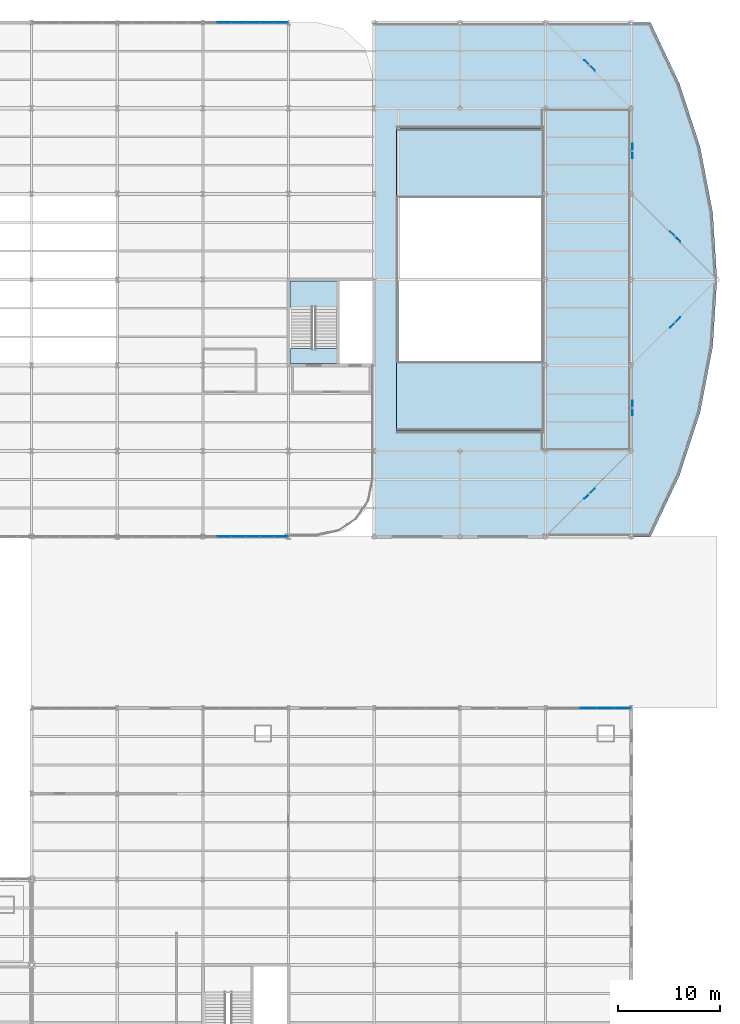
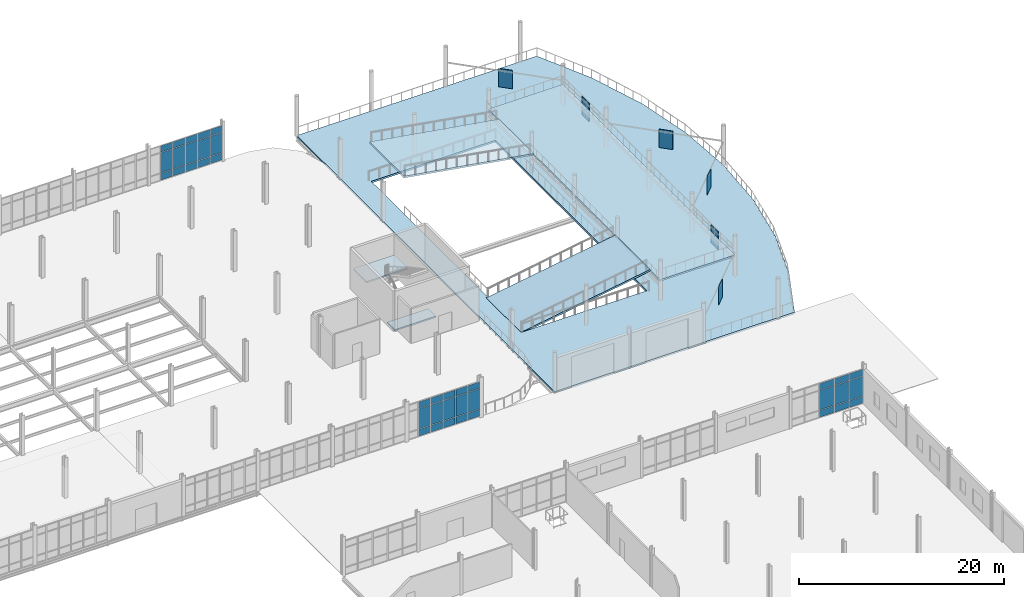
# One storey, part 121 of 145: 45 plates, 6 slabs, 4 elements without a shape of their own.
"""IFC4 building model written with IfcOpenShell, lengths in metres."""

import ifcopenshell
import ifcopenshell.guid

model = None  # the IFC model being written
_history = None  # IfcOwnerHistory: only IFC2X3 demands one
_inside = {}  # id of a spatial element -> (the spatial element, [elements in it])
_under = {}  # id of a project, library or spatial element -> (it, [spatial elements below it])
_declared = {}  # id of a project -> (the project, [libraries it declares])
_typed = {}  # id of a type object -> (the type object, [elements of that type])
_made_of = {}  # id of a material, layer set ... -> (it, [elements and type objects made of it])


def new_model(schema):
    """Start an empty IFC model of exactly this schema.

    Asked for "IFC4X3", IfcOpenShell would pick the latest addendum, in which some entities
    have other attributes; the version numbers below select the first issue.
    IFC2X3 requires an IfcOwnerHistory on every rooted entity: one is made here for all.
    """
    global model, _history
    if schema == "IFC4X3":
        model = ifcopenshell.file(schema_version=(4, 3, 0, 0))
    else:
        model = ifcopenshell.file(schema=schema)
    _inside.clear()
    _under.clear()
    _declared.clear()
    _typed.clear()
    _made_of.clear()
    _history = None
    if model.schema == "IFC2X3":
        org = make("IfcOrganization", Name="unknown")
        user = make(
            "IfcPersonAndOrganization",
            ThePerson=make("IfcPerson", FamilyName="unknown"),
            TheOrganization=org,
        )
        app = make(
            "IfcApplication",
            ApplicationDeveloper=org,
            Version="unknown",
            ApplicationFullName="unknown",
            ApplicationIdentifier="unknown",
        )
        _history = make(
            "IfcOwnerHistory",
            OwningUser=user,
            OwningApplication=app,
            ChangeAction="ADDED",
            CreationDate=0,
        )
    return model


def make(cls, **values):
    """One entity of the class cls with the attributes given. An attribute that is None is left unset."""
    return model.create_entity(
        cls, **{name: value for name, value in values.items() if value is not None}
    )


def rooted(cls, **values):
    """An entity with a GlobalId (a new one), such as an element, a storey or a relation."""
    return make(cls, GlobalId=ifcopenshell.guid.new(), OwnerHistory=_history, **values)


def si_unit(unit_type, name, prefix=None):
    """IfcSIUnit, for example si_unit("LENGTHUNIT", "METRE", prefix="MILLI")."""
    return make("IfcSIUnit", UnitType=unit_type, Prefix=prefix, Name=name)


def assignment(units):
    """IfcUnitAssignment: the units of a project."""
    return None if units is None else make("IfcUnitAssignment", Units=units)


def point(xyz):
    """IfcCartesianPoint."""
    return None if xyz is None else make("IfcCartesianPoint", Coordinates=xyz)


def direction(xyz):
    """IfcDirection."""
    return None if xyz is None else make("IfcDirection", DirectionRatios=xyz)


def frame(location, z_axis=None, x_axis=None):
    """IfcAxis2Placement3D, a coordinate frame: its origin and axes. An axis left out is left unset."""
    return make(
        "IfcAxis2Placement3D",
        Location=point(location),
        Axis=direction(z_axis),
        RefDirection=direction(x_axis),
    )


def frame_2d(location, x_axis=None):
    """IfcAxis2Placement2D, a coordinate frame in the plane: its origin and x axis."""
    return make(
        "IfcAxis2Placement2D", Location=point(location), RefDirection=direction(x_axis)
    )


def origin():
    """The frame at (0, 0, 0) with its axes left unset."""
    return frame((0.0, 0.0, 0.0))


def origin_2d():
    """The frame at (0, 0) in the plane with its x axis left unset."""
    return frame_2d((0.0, 0.0))


def place(relative_to, where):
    """IfcLocalPlacement: puts the frame where relative to a parent placement (None: the world)."""
    return make(
        "IfcLocalPlacement", PlacementRelTo=relative_to, RelativePlacement=where
    )


def context(
    kind, dimensions, precision=None, world=None, true_north=None, identifier=None
):
    """IfcGeometricRepresentationContext, for example the 3D "Model" context."""
    return make(
        "IfcGeometricRepresentationContext",
        ContextIdentifier=identifier,
        ContextType=kind,
        CoordinateSpaceDimension=dimensions,
        Precision=precision,
        WorldCoordinateSystem=world,
        TrueNorth=true_north,
    )


def subcontext(parent, identifier, kind, view, scale=None):
    """IfcGeometricRepresentationSubContext, for example "Body" below "Model"."""
    return make(
        "IfcGeometricRepresentationSubContext",
        ContextIdentifier=identifier,
        ContextType=kind,
        ParentContext=parent,
        TargetScale=scale,
        TargetView=view,
    )


def project(units=None, contexts=None):
    """IfcProject with its units and contexts."""
    return rooted(
        "IfcProject",
        Name="project",
        RepresentationContexts=contexts,
        UnitsInContext=assignment(units),
    )


def spatial(cls, under=None, at=None, **own):
    """A site, building, storey or space (cls), placed at a placement, below another one or the project."""
    s = rooted(cls, ObjectPlacement=at, **own)
    if under is not None:
        _under.setdefault(under.id(), (under, []))[1].append(s)
    return s


def polyline(points):
    """IfcPolyline through the points."""
    return make("IfcPolyline", Points=[point(p) for p in points])


def profile(cls, at=None, kind="AREA", **sizes):
    """A parametric profile (cls). Its sizes go by their IFC names, for example OverallWidth=200.0."""
    return make(cls, ProfileType=kind, Position=at, **sizes)


def rectangle(**sizes):
    """IfcRectangleProfileDef."""
    return profile("IfcRectangleProfileDef", **sizes)


def outline(outer, holes=None, kind="AREA"):
    """IfcArbitraryClosedProfileDef: a profile drawn as a closed curve; with holes, ...WithVoids."""
    if holes is None:
        return make("IfcArbitraryClosedProfileDef", ProfileType=kind, OuterCurve=outer)
    return make(
        "IfcArbitraryProfileDefWithVoids",
        ProfileType=kind,
        OuterCurve=outer,
        InnerCurves=holes,
    )


def extrude(swept, where, along, depth):
    """IfcExtrudedAreaSolid: the profile swept, set in the frame where, extruded along a direction by depth."""
    return make(
        "IfcExtrudedAreaSolid",
        SweptArea=swept,
        Position=where,
        ExtrudedDirection=direction(along),
        Depth=depth,
    )


def shape(context_of_items, identifier, shape_type, items):
    """IfcShapeRepresentation: the items that make up one representation, for example the "Body"."""
    return make(
        "IfcShapeRepresentation",
        ContextOfItems=context_of_items,
        RepresentationIdentifier=identifier,
        RepresentationType=shape_type,
        Items=items,
    )


def material(Name=None, Category=None):
    """IfcMaterial."""
    return make("IfcMaterial", Name=Name, Category=Category)


def layer(
    of_material, thickness, ventilated=None, Name=None, Category=None, Priority=None
):
    """IfcMaterialLayer: one layer of a wall or slab, of a material (None: an air gap)."""
    return make(
        "IfcMaterialLayer",
        Material=of_material,
        LayerThickness=thickness,
        IsVentilated=ventilated,
        Name=Name,
        Category=Category,
        Priority=Priority,
    )


def layer_set(layers, Name=None):
    """IfcMaterialLayerSet."""
    return make("IfcMaterialLayerSet", MaterialLayers=layers, LayerSetName=Name)


def made_of(thing, what):
    """Note that an element or type object is made of a material, layer set ...; save() writes the relation."""
    if what is not None:
        _made_of.setdefault(what.id(), (what, []))[1].append(thing)
    return thing


def type_object(cls, material=None, **own):
    """A type object (cls), such as IfcWallType, which elements share."""
    return made_of(rooted(cls, **own), material)


def element(
    cls,
    number,
    at=None,
    inside=None,
    cuts=None,
    type_object=None,
    material=None,
    context=None,
    identifier="Body",
    shape_type=None,
    held_by="IfcProductDefinitionShape",
    body=None,
    shapes=None,
    **own,
):
    """One element of the class cls, such as IfcWall. Its Tag is "e" and its number.

    at: its placement. inside: the storey or other place that contains it. cuts: it is an
    opening in that element (IfcRelVoidsElement). A single representation is given by context,
    identifier, shape_type and body (its items); several are given by shapes. held_by: the class
    of the entity that holds the representations. save() writes the other relations.
    """
    e = rooted(cls, Tag="e%d" % number, ObjectPlacement=at, **own)
    if body is not None:
        shapes = [shape(context, identifier, shape_type, body)]
    if shapes is not None:
        e.Representation = make(held_by, Representations=shapes)
    if inside is not None:
        _inside.setdefault(inside.id(), (inside, []))[1].append(e)
    if cuts is not None:
        rooted(
            "IfcRelVoidsElement", RelatingBuildingElement=cuts, RelatedOpeningElement=e
        )
    if type_object is not None:
        _typed.setdefault(type_object.id(), (type_object, []))[1].append(e)
    return made_of(e, material)


def aggregate(whole, parts):
    """IfcRelAggregates: a whole, such as a stair, and the parts it consists of."""
    return rooted("IfcRelAggregates", RelatingObject=whole, RelatedObjects=parts)


def save(model, path):
    """Write the relations noted so far, then the file.

    IfcRelAggregates (storeys below a building ...), IfcRelContainedInSpatialStructure (elements
    in a storey), IfcRelDefinesByType, IfcRelAssociatesMaterial and IfcRelDeclares: one each for
    every whole, place, type object, material and project.
    """
    for whole, parts in _under.values():
        aggregate(whole, parts)
    for where, things in _inside.values():
        rooted(
            "IfcRelContainedInSpatialStructure",
            RelatedElements=things,
            RelatingStructure=where,
        )
    for kind, things in _typed.values():
        rooted("IfcRelDefinesByType", RelatedObjects=things, RelatingType=kind)
    for what, things in _made_of.values():
        rooted("IfcRelAssociatesMaterial", RelatedObjects=things, RelatingMaterial=what)
    for by, libraries in _declared.values():
        rooted("IfcRelDeclares", RelatingContext=by, RelatedDefinitions=libraries)
    model.write(path)


model = new_model("IFC4")

# Units and contexts
model_context = context("Model", 3, precision=1e-05, world=origin(), true_north=direction((0.0, 1.0)))
body_context = subcontext(model_context, "Body", "Model", "MODEL_VIEW")
ifc_project = project(units=[si_unit("LENGTHUNIT", "METRE"), si_unit("AREAUNIT", "SQUARE_METRE"), si_unit("VOLUMEUNIT", "CUBIC_METRE"), si_unit("PLANEANGLEUNIT", "RADIAN"), si_unit("MASSUNIT", "GRAM", prefix="KILO")], contexts=[model_context])

# Site, building, storey
site_placement = place(None, origin())
site = spatial("IfcSite", under=ifc_project, at=site_placement, CompositionType="ELEMENT")
building_placement = place(site_placement, origin())
building = spatial("IfcBuilding", under=site, at=building_placement, Name="Qalvenar Corner Mobility Hub", CompositionType="ELEMENT")
storey_placement = place(building_placement, origin())
storey = spatial("IfcBuildingStorey", under=building, at=storey_placement, Name="L00", CompositionType="ELEMENT", Elevation=0.0)

# Curtain wall, plates
ifc_material_1 = material(Name="Anodised Aluminium and Low-E Glazing", Category="aluminium")
ifc_layer_1 = layer(ifc_material_1, 0.14990234375)
ifc_layer_set_1 = layer_set([ifc_layer_1], Name="Anodised Aluminium and Low-E Glazing")
curtain_wall_type_1 = type_object("IfcCurtainWallType", Name="CW-MOB-84X46", PredefinedType="NOTDEFINED", material=ifc_layer_set_1)
curtain_wall_1_placement = place(storey_placement, origin())
curtain_wall_1 = element("IfcCurtainWall", 1, at=curtain_wall_1_placement, inside=storey, type_object=curtain_wall_type_1, Name="Glazed Curtain Wall CW-V4-L00-S8", PredefinedType="NOTDEFINED")
ifc_material_2 = material(Name="Solar-Control Low-E Double Glazing", Category="glass")
ifc_layer_2 = layer(ifc_material_2, 0.028076171875)
ifc_layer_set_2 = layer_set([ifc_layer_2], Name="Solar-Control Low-E Double Glazing")
plate_type_1 = type_object("IfcPlateType", Name="PLT-CWP-GLZ1", PredefinedType="CURTAIN_PANEL", material=ifc_layer_set_2)
plate_1_placement = place(storey_placement, frame((128.10009765625, 67.199951171875, 0.05517578125), z_axis=(0.0, 0.0, 1.0), x_axis=(1.0, 0.0, 0.0)))
plate_1 = element("IfcPlate", 2, at=plate_1_placement, type_object=plate_type_1, Name="CW-03 panel 2.1", PredefinedType="CURTAIN_PANEL", context=body_context, shape_type="SweptSolid", body=[
    extrude(rectangle(XDim=1.340087890625, YDim=0.028076171875, at=origin_2d()), origin(), (0.0, 0.0, 1.0), 0.8173828125),
])
plate_2_placement = place(storey_placement, frame((128.10009765625, 67.199951171875, 0.927490234375), z_axis=(0.0, 0.0, 1.0), x_axis=(1.0, 0.0, 0.0)))
plate_2 = element("IfcPlate", 3, at=plate_2_placement, type_object=plate_type_1, Name="CW-03 panel 2.2", PredefinedType="CURTAIN_PANEL", context=body_context, shape_type="SweptSolid", body=[
    extrude(rectangle(XDim=1.340087890625, YDim=0.028076171875, at=origin_2d()), origin(), (0.0, 0.0, 1.0), 2.39501953125),
])
plate_3_placement = place(storey_placement, frame((128.10009765625, 67.199951171875, 3.37744140625), z_axis=(0.0, 0.0, 1.0), x_axis=(1.0, 0.0, 0.0)))
plate_3 = element("IfcPlate", 4, at=plate_3_placement, type_object=plate_type_1, Name="CW-03 panel 2.3", PredefinedType="CURTAIN_PANEL", context=body_context, shape_type="SweptSolid", body=[
    extrude(rectangle(XDim=1.340087890625, YDim=0.028076171875, at=origin_2d()), origin(), (0.0, 0.0, 1.0), 0.767578125),
])
plate_4_placement = place(storey_placement, frame((129.5, 67.199951171875, 0.05517578125), z_axis=(0.0, 0.0, 1.0), x_axis=(1.0, 0.0, 0.0)))
plate_4 = element("IfcPlate", 5, at=plate_4_placement, type_object=plate_type_1, Name="CW-03 panel 3.1", PredefinedType="CURTAIN_PANEL", context=body_context, shape_type="SweptSolid", body=[
    extrude(rectangle(XDim=1.340087890625, YDim=0.028076171875, at=origin_2d()), origin(), (0.0, 0.0, 1.0), 0.8173828125),
])
plate_5_placement = place(storey_placement, frame((129.5, 67.199951171875, 0.927490234375), z_axis=(0.0, 0.0, 1.0), x_axis=(1.0, 0.0, 0.0)))
plate_5 = element("IfcPlate", 6, at=plate_5_placement, type_object=plate_type_1, Name="CW-03 panel 3.2", PredefinedType="CURTAIN_PANEL", context=body_context, shape_type="SweptSolid", body=[
    extrude(rectangle(XDim=1.340087890625, YDim=0.028076171875, at=origin_2d()), origin(), (0.0, 0.0, 1.0), 2.39501953125),
])
plate_6_placement = place(storey_placement, frame((129.5, 67.199951171875, 3.37744140625), z_axis=(0.0, 0.0, 1.0), x_axis=(1.0, 0.0, 0.0)))
plate_6 = element("IfcPlate", 7, at=plate_6_placement, type_object=plate_type_1, Name="CW-03 panel 3.3", PredefinedType="CURTAIN_PANEL", context=body_context, shape_type="SweptSolid", body=[
    extrude(rectangle(XDim=1.340087890625, YDim=0.028076171875, at=origin_2d()), origin(), (0.0, 0.0, 1.0), 0.767578125),
])
plate_7_placement = place(storey_placement, frame((130.89990234375, 67.199951171875, 0.05517578125), z_axis=(0.0, 0.0, 1.0), x_axis=(1.0, 0.0, 0.0)))
plate_7 = element("IfcPlate", 8, at=plate_7_placement, type_object=plate_type_1, Name="CW-03 panel 4.1", PredefinedType="CURTAIN_PANEL", context=body_context, shape_type="SweptSolid", body=[
    extrude(rectangle(XDim=1.340087890625, YDim=0.028076171875, at=origin_2d()), origin(), (0.0, 0.0, 1.0), 0.8173828125),
])
plate_8_placement = place(storey_placement, frame((130.89990234375, 67.199951171875, 0.927490234375), z_axis=(0.0, 0.0, 1.0), x_axis=(1.0, 0.0, 0.0)))
plate_8 = element("IfcPlate", 9, at=plate_8_placement, type_object=plate_type_1, Name="CW-03 panel 4.2", PredefinedType="CURTAIN_PANEL", context=body_context, shape_type="SweptSolid", body=[
    extrude(rectangle(XDim=1.340087890625, YDim=0.028076171875, at=origin_2d()), origin(), (0.0, 0.0, 1.0), 2.39501953125),
])
plate_9_placement = place(storey_placement, frame((130.89990234375, 67.199951171875, 3.37744140625), z_axis=(0.0, 0.0, 1.0), x_axis=(1.0, 0.0, 0.0)))
plate_9 = element("IfcPlate", 10, at=plate_9_placement, type_object=plate_type_1, Name="CW-03 panel 4.3", PredefinedType="CURTAIN_PANEL", context=body_context, shape_type="SweptSolid", body=[
    extrude(rectangle(XDim=1.340087890625, YDim=0.028076171875, at=origin_2d()), origin(), (0.0, 0.0, 1.0), 0.767578125),
])
plate_10_placement = place(storey_placement, frame((132.300048828125, 67.199951171875, 0.05517578125), z_axis=(0.0, 0.0, 1.0), x_axis=(1.0, 0.0, 0.0)))
plate_10 = element("IfcPlate", 11, at=plate_10_placement, type_object=plate_type_1, Name="CW-03 panel 5.1", PredefinedType="CURTAIN_PANEL", context=body_context, shape_type="SweptSolid", body=[
    extrude(rectangle(XDim=1.340087890625, YDim=0.028076171875, at=origin_2d()), origin(), (0.0, 0.0, 1.0), 0.8173828125),
])
plate_11_placement = place(storey_placement, frame((132.300048828125, 67.199951171875, 0.927490234375), z_axis=(0.0, 0.0, 1.0), x_axis=(1.0, 0.0, 0.0)))
plate_11 = element("IfcPlate", 12, at=plate_11_placement, type_object=plate_type_1, Name="CW-03 panel 5.2", PredefinedType="CURTAIN_PANEL", context=body_context, shape_type="SweptSolid", body=[
    extrude(rectangle(XDim=1.340087890625, YDim=0.028076171875, at=origin_2d()), origin(), (0.0, 0.0, 1.0), 2.39501953125),
])
plate_12_placement = place(storey_placement, frame((132.300048828125, 67.199951171875, 3.37744140625), z_axis=(0.0, 0.0, 1.0), x_axis=(1.0, 0.0, 0.0)))
plate_12 = element("IfcPlate", 13, at=plate_12_placement, type_object=plate_type_1, Name="CW-03 panel 5.3", PredefinedType="CURTAIN_PANEL", context=body_context, shape_type="SweptSolid", body=[
    extrude(rectangle(XDim=1.340087890625, YDim=0.028076171875, at=origin_2d()), origin(), (0.0, 0.0, 1.0), 0.767578125),
])
plate_13_placement = place(storey_placement, frame((133.68505859375, 67.199951171875, 0.05517578125), z_axis=(0.0, 0.0, 1.0), x_axis=(1.0, 0.0, 0.0)))
plate_13 = element("IfcPlate", 14, at=plate_13_placement, type_object=plate_type_1, Name="CW-03 panel 6.1", PredefinedType="CURTAIN_PANEL", context=body_context, shape_type="SweptSolid", body=[
    extrude(rectangle(XDim=1.31005859375, YDim=0.028076171875, at=origin_2d()), origin(), (0.0, 0.0, 1.0), 0.8173828125),
])
plate_14_placement = place(storey_placement, frame((133.68505859375, 67.199951171875, 0.927490234375), z_axis=(0.0, 0.0, 1.0), x_axis=(1.0, 0.0, 0.0)))
plate_14 = element("IfcPlate", 15, at=plate_14_placement, type_object=plate_type_1, Name="CW-03 panel 6.2", PredefinedType="CURTAIN_PANEL", context=body_context, shape_type="SweptSolid", body=[
    extrude(rectangle(XDim=1.31005859375, YDim=0.028076171875, at=origin_2d()), origin(), (0.0, 0.0, 1.0), 2.39501953125),
])
plate_15_placement = place(storey_placement, frame((133.68505859375, 67.199951171875, 3.37744140625), z_axis=(0.0, 0.0, 1.0), x_axis=(1.0, 0.0, 0.0)))
plate_15 = element("IfcPlate", 16, at=plate_15_placement, type_object=plate_type_1, Name="CW-03 panel 6.3", PredefinedType="CURTAIN_PANEL", context=body_context, shape_type="SweptSolid", body=[
    extrude(rectangle(XDim=1.31005859375, YDim=0.028076171875, at=origin_2d()), origin(), (0.0, 0.0, 1.0), 0.767578125),
])
aggregate(curtain_wall_1, [plate_1, plate_2, plate_3, plate_4, plate_5, plate_6, plate_7, plate_8, plate_9, plate_10, plate_11, plate_12, plate_13, plate_14, plate_15])

curtain_wall_2_placement = place(storey_placement, origin())
curtain_wall_2 = element("IfcCurtainWall", 17, at=curtain_wall_2_placement, inside=storey, type_object=curtain_wall_type_1, Name="Glazed Curtain Wall CW-V4-L00-N8", PredefinedType="NOTDEFINED")
plate_16_placement = place(storey_placement, frame((133.68505859375, 117.60009765625, 0.05517578125), z_axis=(0.0, 0.0, 1.0), x_axis=(-1.0, 0.0, 0.0)))
plate_16 = element("IfcPlate", 18, at=plate_16_placement, type_object=plate_type_1, Name="CW-03 panel 1.1", PredefinedType="CURTAIN_PANEL", context=body_context, shape_type="SweptSolid", body=[
    extrude(rectangle(XDim=1.31005859375, YDim=0.028076171875, at=origin_2d()), origin(), (0.0, 0.0, 1.0), 0.8173828125),
])
plate_17_placement = place(storey_placement, frame((133.68505859375, 117.60009765625, 0.927490234375), z_axis=(0.0, 0.0, 1.0), x_axis=(-1.0, 0.0, 0.0)))
plate_17 = element("IfcPlate", 19, at=plate_17_placement, type_object=plate_type_1, Name="CW-03 panel 1.2", PredefinedType="CURTAIN_PANEL", context=body_context, shape_type="SweptSolid", body=[
    extrude(rectangle(XDim=1.31005859375, YDim=0.028076171875, at=origin_2d()), origin(), (0.0, 0.0, 1.0), 2.39501953125),
])
plate_18_placement = place(storey_placement, frame((133.68505859375, 117.60009765625, 3.37744140625), z_axis=(0.0, 0.0, 1.0), x_axis=(-1.0, 0.0, 0.0)))
plate_18 = element("IfcPlate", 20, at=plate_18_placement, type_object=plate_type_1, Name="CW-03 panel 1.3", PredefinedType="CURTAIN_PANEL", context=body_context, shape_type="SweptSolid", body=[
    extrude(rectangle(XDim=1.31005859375, YDim=0.028076171875, at=origin_2d()), origin(), (0.0, 0.0, 1.0), 0.767578125),
])
plate_19_placement = place(storey_placement, frame((132.300048828125, 117.60009765625, 0.05517578125), z_axis=(0.0, 0.0, 1.0), x_axis=(-1.0, 0.0, 0.0)))
plate_19 = element("IfcPlate", 21, at=plate_19_placement, type_object=plate_type_1, Name="CW-03 panel 2.1", PredefinedType="CURTAIN_PANEL", context=body_context, shape_type="SweptSolid", body=[
    extrude(rectangle(XDim=1.340087890625, YDim=0.028076171875, at=origin_2d()), origin(), (0.0, 0.0, 1.0), 0.8173828125),
])
plate_20_placement = place(storey_placement, frame((132.300048828125, 117.60009765625, 0.927490234375), z_axis=(0.0, 0.0, 1.0), x_axis=(-1.0, 0.0, 0.0)))
plate_20 = element("IfcPlate", 22, at=plate_20_placement, type_object=plate_type_1, Name="CW-03 panel 2.2", PredefinedType="CURTAIN_PANEL", context=body_context, shape_type="SweptSolid", body=[
    extrude(rectangle(XDim=1.340087890625, YDim=0.028076171875, at=origin_2d()), origin(), (0.0, 0.0, 1.0), 2.39501953125),
])
plate_21_placement = place(storey_placement, frame((132.300048828125, 117.60009765625, 3.37744140625), z_axis=(0.0, 0.0, 1.0), x_axis=(-1.0, 0.0, 0.0)))
plate_21 = element("IfcPlate", 23, at=plate_21_placement, type_object=plate_type_1, Name="CW-03 panel 2.3", PredefinedType="CURTAIN_PANEL", context=body_context, shape_type="SweptSolid", body=[
    extrude(rectangle(XDim=1.340087890625, YDim=0.028076171875, at=origin_2d()), origin(), (0.0, 0.0, 1.0), 0.767578125),
])
plate_22_placement = place(storey_placement, frame((130.89990234375, 117.60009765625, 0.05517578125), z_axis=(0.0, 0.0, 1.0), x_axis=(-1.0, 0.0, 0.0)))
plate_22 = element("IfcPlate", 24, at=plate_22_placement, type_object=plate_type_1, Name="CW-03 panel 3.1", PredefinedType="CURTAIN_PANEL", context=body_context, shape_type="SweptSolid", body=[
    extrude(rectangle(XDim=1.340087890625, YDim=0.028076171875, at=origin_2d()), origin(), (0.0, 0.0, 1.0), 0.8173828125),
])
plate_23_placement = place(storey_placement, frame((130.89990234375, 117.60009765625, 0.927490234375), z_axis=(0.0, 0.0, 1.0), x_axis=(-1.0, 0.0, 0.0)))
plate_23 = element("IfcPlate", 25, at=plate_23_placement, type_object=plate_type_1, Name="CW-03 panel 3.2", PredefinedType="CURTAIN_PANEL", context=body_context, shape_type="SweptSolid", body=[
    extrude(rectangle(XDim=1.340087890625, YDim=0.028076171875, at=origin_2d()), origin(), (0.0, 0.0, 1.0), 2.39501953125),
])
plate_24_placement = place(storey_placement, frame((130.89990234375, 117.60009765625, 3.37744140625), z_axis=(0.0, 0.0, 1.0), x_axis=(-1.0, 0.0, 0.0)))
plate_24 = element("IfcPlate", 26, at=plate_24_placement, type_object=plate_type_1, Name="CW-03 panel 3.3", PredefinedType="CURTAIN_PANEL", context=body_context, shape_type="SweptSolid", body=[
    extrude(rectangle(XDim=1.340087890625, YDim=0.028076171875, at=origin_2d()), origin(), (0.0, 0.0, 1.0), 0.767578125),
])
plate_25_placement = place(storey_placement, frame((129.5, 117.60009765625, 0.05517578125), z_axis=(0.0, 0.0, 1.0), x_axis=(-1.0, 0.0, 0.0)))
plate_25 = element("IfcPlate", 27, at=plate_25_placement, type_object=plate_type_1, Name="CW-03 panel 4.1", PredefinedType="CURTAIN_PANEL", context=body_context, shape_type="SweptSolid", body=[
    extrude(rectangle(XDim=1.340087890625, YDim=0.028076171875, at=origin_2d()), origin(), (0.0, 0.0, 1.0), 0.8173828125),
])
plate_26_placement = place(storey_placement, frame((129.5, 117.60009765625, 0.927490234375), z_axis=(0.0, 0.0, 1.0), x_axis=(-1.0, 0.0, 0.0)))
plate_26 = element("IfcPlate", 28, at=plate_26_placement, type_object=plate_type_1, Name="CW-03 panel 4.2", PredefinedType="CURTAIN_PANEL", context=body_context, shape_type="SweptSolid", body=[
    extrude(rectangle(XDim=1.340087890625, YDim=0.028076171875, at=origin_2d()), origin(), (0.0, 0.0, 1.0), 2.39501953125),
])
plate_27_placement = place(storey_placement, frame((129.5, 117.60009765625, 3.37744140625), z_axis=(0.0, 0.0, 1.0), x_axis=(-1.0, 0.0, 0.0)))
plate_27 = element("IfcPlate", 29, at=plate_27_placement, type_object=plate_type_1, Name="CW-03 panel 4.3", PredefinedType="CURTAIN_PANEL", context=body_context, shape_type="SweptSolid", body=[
    extrude(rectangle(XDim=1.340087890625, YDim=0.028076171875, at=origin_2d()), origin(), (0.0, 0.0, 1.0), 0.767578125),
])
plate_28_placement = place(storey_placement, frame((128.10009765625, 117.60009765625, 0.05517578125), z_axis=(0.0, 0.0, 1.0), x_axis=(-1.0, 0.0, 0.0)))
plate_28 = element("IfcPlate", 30, at=plate_28_placement, type_object=plate_type_1, Name="CW-03 panel 5.1", PredefinedType="CURTAIN_PANEL", context=body_context, shape_type="SweptSolid", body=[
    extrude(rectangle(XDim=1.340087890625, YDim=0.028076171875, at=origin_2d()), origin(), (0.0, 0.0, 1.0), 0.8173828125),
])
plate_29_placement = place(storey_placement, frame((128.10009765625, 117.60009765625, 0.927490234375), z_axis=(0.0, 0.0, 1.0), x_axis=(-1.0, 0.0, 0.0)))
plate_29 = element("IfcPlate", 31, at=plate_29_placement, type_object=plate_type_1, Name="CW-03 panel 5.2", PredefinedType="CURTAIN_PANEL", context=body_context, shape_type="SweptSolid", body=[
    extrude(rectangle(XDim=1.340087890625, YDim=0.028076171875, at=origin_2d()), origin(), (0.0, 0.0, 1.0), 2.39501953125),
])
plate_30_placement = place(storey_placement, frame((128.10009765625, 117.60009765625, 3.37744140625), z_axis=(0.0, 0.0, 1.0), x_axis=(-1.0, 0.0, 0.0)))
plate_30 = element("IfcPlate", 32, at=plate_30_placement, type_object=plate_type_1, Name="CW-03 panel 5.3", PredefinedType="CURTAIN_PANEL", context=body_context, shape_type="SweptSolid", body=[
    extrude(rectangle(XDim=1.340087890625, YDim=0.028076171875, at=origin_2d()), origin(), (0.0, 0.0, 1.0), 0.767578125),
])
aggregate(curtain_wall_2, [plate_16, plate_17, plate_18, plate_19, plate_20, plate_21, plate_22, plate_23, plate_24, plate_25, plate_26, plate_27, plate_28, plate_29, plate_30])

ifc_layer_3 = layer(ifc_material_1, 0.14990234375)
ifc_layer_set_3 = layer_set([ifc_layer_3], Name="Anodised Aluminium and Low-E Glazing")
curtain_wall_type_2 = type_object("IfcCurtainWallType", Name="CW-WKS-84X44", PredefinedType="NOTDEFINED", material=ifc_layer_set_3)
curtain_wall_3_placement = place(storey_placement, origin())
curtain_wall_3 = element("IfcCurtainWall", 33, at=curtain_wall_3_placement, inside=storey, type_object=curtain_wall_type_2, Name="Glazed Curtain Wall CW-V6-L00-N6", PredefinedType="NOTDEFINED")
plate_31_placement = place(storey_placement, frame((167.14501953125, 50.39990234375, 0.05517578125), z_axis=(0.0, 0.0, 1.0), x_axis=(-1.0, 0.0, 0.0)))
plate_31 = element("IfcPlate", 34, at=plate_31_placement, type_object=plate_type_1, Name="CW-09 panel 1.1", PredefinedType="CURTAIN_PANEL", context=body_context, shape_type="SweptSolid", body=[
    extrude(rectangle(XDim=1.590087890625, YDim=0.028076171875, at=origin_2d()), origin(), (0.0, 0.0, 1.0), 0.8173828125),
])
plate_32_placement = place(storey_placement, frame((167.14501953125, 50.39990234375, 0.927734375), z_axis=(0.0, 0.0, 1.0), x_axis=(-1.0, 0.0, 0.0)))
plate_32 = element("IfcPlate", 35, at=plate_32_placement, type_object=plate_type_1, Name="CW-09 panel 1.2", PredefinedType="CURTAIN_PANEL", context=body_context, shape_type="SweptSolid", body=[
    extrude(rectangle(XDim=1.590087890625, YDim=0.028076171875, at=origin_2d()), origin(), (0.0, 0.0, 1.0), 2.324951171875),
])
plate_33_placement = place(storey_placement, frame((167.14501953125, 50.39990234375, 3.307373046875), z_axis=(0.0, 0.0, 1.0), x_axis=(-1.0, 0.0, 0.0)))
plate_33 = element("IfcPlate", 36, at=plate_33_placement, type_object=plate_type_1, Name="CW-09 panel 1.3", PredefinedType="CURTAIN_PANEL", context=body_context, shape_type="SweptSolid", body=[
    extrude(rectangle(XDim=1.590087890625, YDim=0.028076171875, at=origin_2d()), origin(), (0.0, 0.0, 1.0), 0.767578125),
])
plate_34_placement = place(storey_placement, frame((165.47998046875, 50.39990234375, 0.05517578125), z_axis=(0.0, 0.0, 1.0), x_axis=(-1.0, 0.0, 0.0)))
plate_34 = element("IfcPlate", 37, at=plate_34_placement, type_object=plate_type_1, Name="CW-09 panel 2.1", PredefinedType="CURTAIN_PANEL", context=body_context, shape_type="SweptSolid", body=[
    extrude(rectangle(XDim=1.6201171875, YDim=0.028076171875, at=origin_2d()), origin(), (0.0, 0.0, 1.0), 0.8173828125),
])
plate_35_placement = place(storey_placement, frame((165.47998046875, 50.39990234375, 0.927734375), z_axis=(0.0, 0.0, 1.0), x_axis=(-1.0, 0.0, 0.0)))
plate_35 = element("IfcPlate", 38, at=plate_35_placement, type_object=plate_type_1, Name="CW-09 panel 2.2", PredefinedType="CURTAIN_PANEL", context=body_context, shape_type="SweptSolid", body=[
    extrude(rectangle(XDim=1.6201171875, YDim=0.028076171875, at=origin_2d()), origin(), (0.0, 0.0, 1.0), 2.324951171875),
])
plate_36_placement = place(storey_placement, frame((165.47998046875, 50.39990234375, 3.307373046875), z_axis=(0.0, 0.0, 1.0), x_axis=(-1.0, 0.0, 0.0)))
plate_36 = element("IfcPlate", 39, at=plate_36_placement, type_object=plate_type_1, Name="CW-09 panel 2.3", PredefinedType="CURTAIN_PANEL", context=body_context, shape_type="SweptSolid", body=[
    extrude(rectangle(XDim=1.6201171875, YDim=0.028076171875, at=origin_2d()), origin(), (0.0, 0.0, 1.0), 0.767578125),
])
plate_37_placement = place(storey_placement, frame((163.800048828125, 50.39990234375, 0.05517578125), z_axis=(0.0, 0.0, 1.0), x_axis=(-1.0, 0.0, 0.0)))
plate_37 = element("IfcPlate", 40, at=plate_37_placement, type_object=plate_type_1, Name="CW-09 panel 3.1", PredefinedType="CURTAIN_PANEL", context=body_context, shape_type="SweptSolid", body=[
    extrude(rectangle(XDim=1.6201171875, YDim=0.028076171875, at=origin_2d()), origin(), (0.0, 0.0, 1.0), 0.8173828125),
])
plate_38_placement = place(storey_placement, frame((163.800048828125, 50.39990234375, 0.927734375), z_axis=(0.0, 0.0, 1.0), x_axis=(-1.0, 0.0, 0.0)))
plate_38 = element("IfcPlate", 41, at=plate_38_placement, type_object=plate_type_1, Name="CW-09 panel 3.2", PredefinedType="CURTAIN_PANEL", context=body_context, shape_type="SweptSolid", body=[
    extrude(rectangle(XDim=1.6201171875, YDim=0.028076171875, at=origin_2d()), origin(), (0.0, 0.0, 1.0), 2.324951171875),
])
plate_39_placement = place(storey_placement, frame((163.800048828125, 50.39990234375, 3.307373046875), z_axis=(0.0, 0.0, 1.0), x_axis=(-1.0, 0.0, 0.0)))
plate_39 = element("IfcPlate", 42, at=plate_39_placement, type_object=plate_type_1, Name="CW-09 panel 3.3", PredefinedType="CURTAIN_PANEL", context=body_context, shape_type="SweptSolid", body=[
    extrude(rectangle(XDim=1.6201171875, YDim=0.028076171875, at=origin_2d()), origin(), (0.0, 0.0, 1.0), 0.767578125),
])
aggregate(curtain_wall_3, [plate_31, plate_32, plate_33, plate_34, plate_35, plate_36, plate_37, plate_38, plate_39])

# Plates
ifc_material_3 = material(Name="Perforated Bronze-Anodised Aluminium", Category="aluminium")
ifc_layer_4 = layer(ifc_material_3, 0.030029296875)
ifc_layer_set_4 = layer_set([ifc_layer_4], Name="Perforated Bronze-Anodised Aluminium")
plate_type_2 = type_object("IfcPlateType", Name="PLT-SCR-ROT", PredefinedType="SHEET", material=ifc_layer_set_4)
for number, where, z_axis, x_axis, name in (
    (43, (163.919921875, 71.39990234375, 0.85009765625), (0.0, 0.0, 1.0), (0.707106781187, 0.707106781187, 0.0), "Rotunda Sun Screen SC1-L00-1"),
    (44, (168.1201171875, 79.800048828125, 0.85009765625), (0.0, 0.0, 1.0), (0.0, 1.0, 0.0), "Rotunda Sun Screen SC1-L00-2"),
    (45, (172.320068359375, 88.199951171875, 0.85009765625), (0.0, 0.0, 1.0), (0.707106781187, 0.707106781187, 0.0), "Rotunda Sun Screen SC1-L00-3"),
    (46, (172.320068359375, 96.60009765625, 0.85009765625), (0.0, 0.0, 1.0), (-0.707106781187, 0.707106781187, 0.0), "Rotunda Sun Screen SC1-L00-4"),
    (47, (168.1201171875, 105.0, 0.85009765625), (0.0, 0.0, 1.0), (0.0, 1.0, 0.0), "Rotunda Sun Screen SC1-L00-5"),
    (48, (163.919921875, 113.39990234375, 0.85009765625), (0.0, 0.0, 1.0), (-0.707106781187, 0.707106781187, 0.0), "Rotunda Sun Screen SC1-L00-6"),
):
    element("IfcPlate", number, at=place(storey_placement, frame(where, z_axis=z_axis, x_axis=x_axis)), inside=storey, type_object=plate_type_2, Name=name, PredefinedType="SHEET", context=body_context, shape_type="SweptSolid", body=[
        extrude(rectangle(XDim=1.39990234375, YDim=0.030029296875, at=origin_2d()), origin(), (0.0, 0.0, 1.0), 2.199951171875),
    ])

# Slab
ifc_material_4 = material(Name="Concrete C35/45", Category="concrete")
ifc_layer_5 = layer(ifc_material_4, 0.219970703125)
ifc_layer_set_5 = layer_set([ifc_layer_5], Name="Concrete C35/45")
slab_type_1 = type_object("IfcSlabType", Name="SLB-COMP220", PredefinedType="FLOOR", material=ifc_layer_set_5)
slab_1_placement = place(storey_placement, frame((0.0, 0.0, -0.219970703125)))
element("IfcSlab", 49, at=slab_1_placement, inside=storey, type_object=slab_type_1, Name="Rotunda Floor Slab V2-L00", PredefinedType="FLOOR", context=body_context, shape_type="SweptSolid", body=[
    extrude(outline(polyline([(142.800048828125, 67.199951171875), (169.8857421875, 67.199951171875), (172.701416015625, 73.13916015625), (174.7451171875, 79.3857421875), (175.984619140625, 85.840576171875), (176.39990234375, 92.39990234375), (175.984619140625, 98.95947265625), (174.7451171875, 105.414306640625), (172.701416015625, 111.660888671875), (169.8857421875, 117.60009765625), (142.800048828125, 117.60009765625), (142.800048828125, 67.199951171875)]), holes=[polyline([(145.199951171875, 77.60009765625), (159.199951171875, 77.60009765625), (159.199951171875, 107.199951171875), (145.199951171875, 107.199951171875), (145.199951171875, 77.60009765625)])]), origin(), (0.0, 0.0, 1.0), 0.219970703125),
])

# Stair, slab
stair_type = type_object("IfcStairType", Name="STR-200-H48", PredefinedType="TWO_QUARTER_TURN_STAIR", material=ifc_material_4)
stair_placement = place(storey_placement, origin())
stair = element("IfcStair", 50, at=stair_placement, inside=storey, type_object=stair_type, Name="Exit Stair ST4 L00-L01", PredefinedType="TWO_QUARTER_TURN_STAIR")
ifc_layer_6 = layer(ifc_material_4, 0.179931640625)
ifc_layer_set_6 = layer_set([ifc_layer_6], Name="Concrete C35/45")
slab_type_2 = type_object("IfcSlabType", Name="SLB-LND180", PredefinedType="LANDING", material=ifc_layer_set_6)
slab_2_placement = place(storey_placement, frame((0.0, 0.0, 2.219970703125)))
slab_2 = element("IfcSlab", 51, at=slab_2_placement, type_object=slab_type_2, Name="ST4 landing 1", PredefinedType="LANDING", context=body_context, shape_type="SweptSolid", body=[
    extrude(outline(polyline([(134.5400390625, 89.64990234375), (139.179931640625, 89.64990234375), (139.179931640625, 92.260009765625), (134.5400390625, 92.260009765625), (134.5400390625, 89.64990234375)])), origin(), (0.0, 0.0, 1.0), 0.179931640625),
])
aggregate(stair, [slab_2])

# Slabs
ifc_layer_7 = layer(ifc_material_4, 0.175048828125)
ifc_layer_set_7 = layer_set([ifc_layer_7], Name="Concrete C35/45")
slab_type_3 = type_object("IfcSlabType", Name="SLB-LND200", PredefinedType="LANDING", material=ifc_layer_set_7)
slab_3_placement = place(storey_placement, frame((0.0, 0.0, -0.175048828125)))
element("IfcSlab", 52, at=slab_3_placement, inside=storey, type_object=slab_type_3, Name="Core Stair Arrival Landing C4-L00", PredefinedType="LANDING", context=body_context, shape_type="SweptSolid", body=[
    extrude(outline(polyline([(134.550048828125, 84.14990234375), (139.169921875, 84.14990234375), (139.169921875, 85.64990234375), (134.550048828125, 85.64990234375), (134.550048828125, 84.14990234375)])), origin(), (0.0, 0.0, 1.0), 0.175048828125),
])
ifc_layer_8 = layer(ifc_material_4, 0.219970703125)
ifc_layer_set_8 = layer_set([ifc_layer_8], Name="Concrete C35/45")
slab_type_4 = type_object("IfcSlabType", Name="SLB-RLND220", PredefinedType="FLOOR", material=ifc_layer_set_8)
slab_4_placement = place(storey_placement, frame((0.0, 0.0, 2.179931640625)))
element("IfcSlab", 53, at=slab_4_placement, inside=storey, type_object=slab_type_4, Name="Vehicle Circulation Ramp Mid-Landing L00-L01", PredefinedType="FLOOR", context=body_context, shape_type="SweptSolid", body=[
    extrude(outline(polyline([(159.5400390625, 75.60009765625), (168.0, 75.60009765625), (168.0, 109.199951171875), (159.5400390625, 109.199951171875), (159.5400390625, 75.60009765625)])), origin(), (0.0, 0.0, 1.0), 0.219970703125),
])
ifc_material_5 = material(Name="Concrete C35/45", Category="concrete")
ifc_layer_9 = layer(ifc_material_5, 0.2099609375)
ifc_layer_set_9 = layer_set([ifc_layer_9], Name="Concrete C35/45")
slab_type_5 = type_object("IfcSlabType", Name="SLB-VRMP210", PredefinedType="FLOOR", material=ifc_layer_set_9)
slab_5_placement = place(storey_placement, frame((145.0, 77.60009765625, 0.0), z_axis=(-0.16219911737, 0.0, 0.986758048523), x_axis=(0.986758048523, 0.0, 0.16219911737)))
element("IfcSlab", 54, at=slab_5_placement, inside=storey, type_object=slab_type_5, Name="Vehicle Circulation Ramp Structural Slab L00-L01 Lower", PredefinedType="FLOOR", context=body_context, shape_type="SweptSolid", body=[
    extrude(outline(polyline([(0.0, 0.0), (14.796025913453027, 0.0), (14.796025913453027, 6.7998046875), (0.0, 6.7998046875), (0.0, 0.0)])), origin(), (0.0, 0.0, -1.0), 0.2099609375),
])
slab_6_placement = place(storey_placement, frame((159.60009765625, 100.39990234375, 2.39990234375), z_axis=(0.162215183622, 0.0, 0.986755407486), x_axis=(-0.986755407486, 0.0, 0.162215183622)))
element("IfcSlab", 55, at=slab_6_placement, inside=storey, type_object=slab_type_5, Name="Vehicle Circulation Ramp Structural Slab L00-L01 Upper", PredefinedType="FLOOR", context=body_context, shape_type="SweptSolid", body=[
    extrude(outline(polyline([(0.0, 0.0), (14.796065514808133, 0.0), (14.796065514808133, -6.800048828125), (0.0, -6.800048828125), (0.0, 0.0)])), origin(), (0.0, 0.0, -1.0), 0.2099609375),
])

save(model, "model.ifc")
